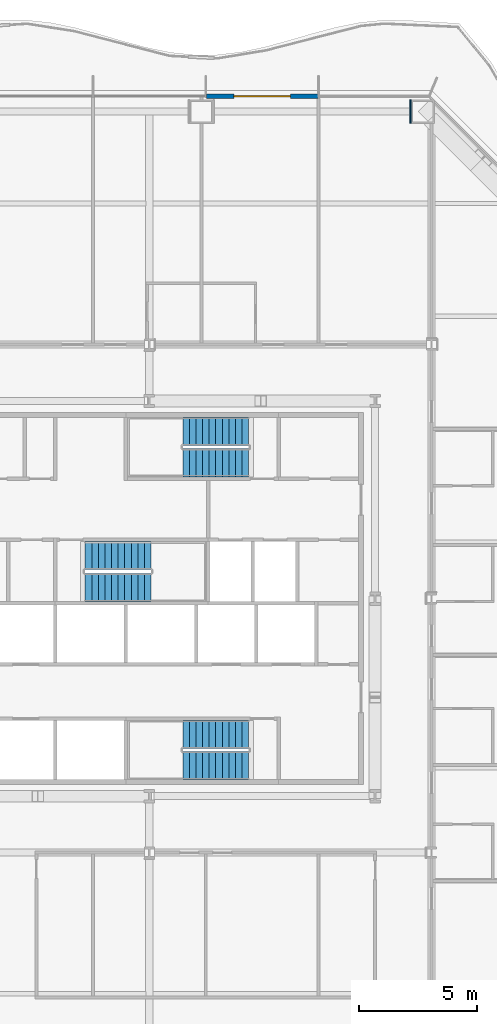
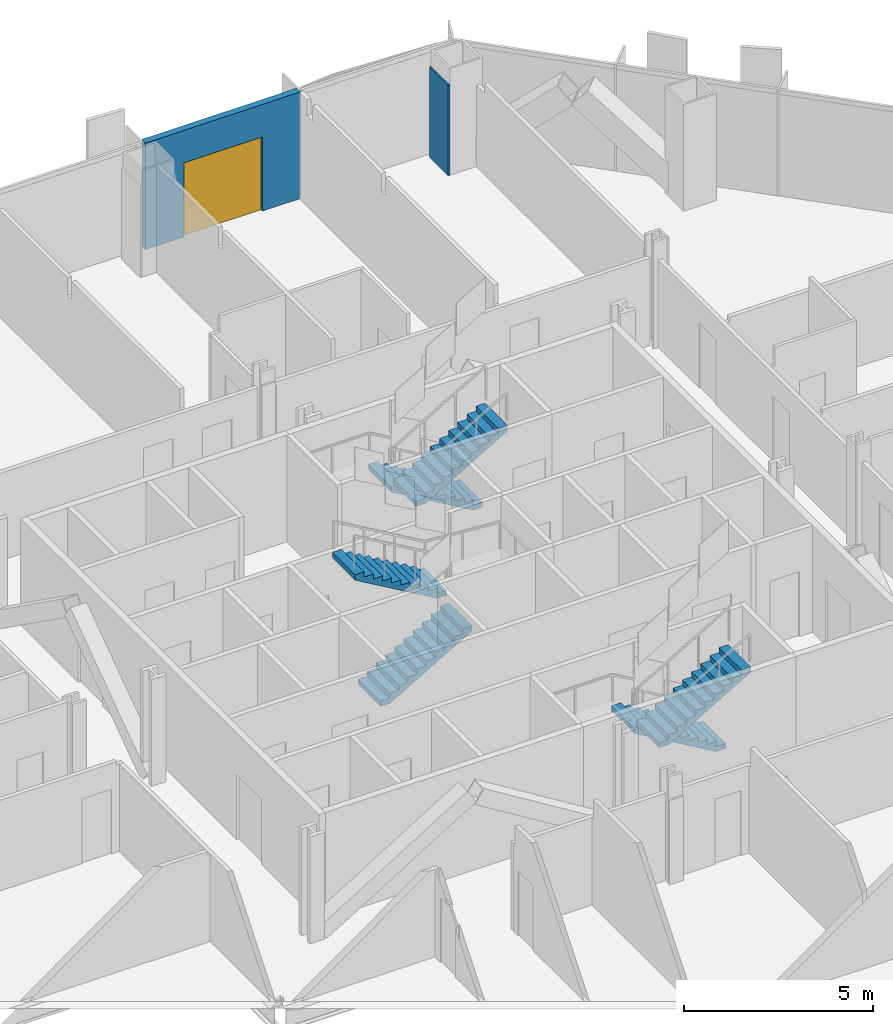
# One storey, part 14 of 20: 6 stair flights, 2 walls, 1 door, 1 opening, 3 elements without a shape of their own.
"""IFC4 building model written with IfcOpenShell, lengths in metres."""

from ifc_helpers import new_model, si_unit, direction, frame, frame_2d, origin, place, context, subcontext, project, spatial, polyline, rectangle, outline, extrude, material, layer, layer_set, type_object, element, fill, aggregate, save


model = new_model("IFC4")

# Units and contexts
model_context = context("Model", 3, precision=1e-05, world=origin(), true_north=direction((0.0, 1.0)))
body_context = subcontext(model_context, "Body", "Model", "MODEL_VIEW")
ifc_project = project(units=[si_unit("LENGTHUNIT", "METRE"), si_unit("AREAUNIT", "SQUARE_METRE"), si_unit("VOLUMEUNIT", "CUBIC_METRE"), si_unit("PLANEANGLEUNIT", "RADIAN"), si_unit("MASSUNIT", "GRAM", prefix="KILO")], contexts=[model_context])

# Site, building, storey
site_placement = place(None, origin())
site = spatial("IfcSite", under=ifc_project, at=site_placement, CompositionType="ELEMENT")
building_placement = place(site_placement, origin())
building = spatial("IfcBuilding", under=site, at=building_placement, Name="Cairn Pilgrim Tower", CompositionType="ELEMENT")
storey_placement = place(building_placement, frame((0.0, 0.0, 51.0)))
storey = spatial("IfcBuildingStorey", under=building, at=storey_placement, Name="L10", CompositionType="ELEMENT", Elevation=51.0)

# Wall, opening, door
ifc_material_1 = material(Name="Bronze anodised aluminium insulated sandwich panel with mineral wool fill", Category="aluminium")
ifc_layer_1 = layer(ifc_material_1, 0.199951171875)
ifc_layer_set_1 = layer_set([ifc_layer_1], Name="BRONZE INFILL FRAME WALL 200")
wall_type_1 = type_object("IfcWallType", Name="BRONZE INFILL FRAME WALL 200", PredefinedType="NOTDEFINED", material=ifc_layer_set_1)
wall_1_placement = place(storey_placement, frame((14.3701171875, 23.75, 0.0), z_axis=(0.0, 0.0, 1.0), x_axis=(-1.0, 0.0, 0.0)))
wall_1 = element("IfcWall", 1, at=wall_1_placement, inside=storey, type_object=wall_type_1, Name="Bronze infill frame wall IW-N2", PredefinedType="NOTDEFINED", context=body_context, shape_type="SweptSolid", body=[
    extrude(rectangle(XDim=4.740234375, YDim=0.199951171875, at=frame_2d((2.3701171875, 0.0))), origin(), (0.0, 0.0, 1.0), 3.449951171875),
])
opening_placement = place(wall_1_placement, frame((1.169921875, 0.0, 0.0)))
opening = element("IfcOpeningElement", 2, at=opening_placement, cuts=wall_1, Name="Opening 1020B", PredefinedType="OPENING", context=body_context, shape_type="SweptSolid", body=[
    extrude(rectangle(XDim=2.39990234375, YDim=2.39990234375, at=frame_2d((1.199951171875, 1.199951171875))), frame((0.0, 0.10986328125, 0.0), z_axis=(0.0, -1.0, 0.0), x_axis=(1.0, 0.0, 0.0)), (0.0, 0.0, 1.0), 0.219970703125),
])
ifc_material_2 = material(Name="Bronze anodised aluminium frame with tinted low-E glass", Category="aluminium")
door_type = type_object("IfcDoorType", Name="BALCONY SLIDING DOOR 2400x2400", OperationType="DOUBLE_DOOR_SLIDING", PredefinedType="DOOR", material=ifc_material_2)
door_placement = place(opening_placement, origin())
door = element("IfcDoor", 3, at=door_placement, inside=storey, type_object=door_type, Name="Balcony sliding door 1020B", OperationType="SINGLE_SWING_LEFT", OverallHeight=2.39990234375, OverallWidth=2.39990234375, PredefinedType="DOOR", context=body_context, shape_type="SweptSolid", body=[
    extrude(rectangle(XDim=2.39990234375, YDim=2.39990234375, at=frame_2d((1.199951171875, 1.199951171875))), frame((0.0, 0.02490234375, 0.0), z_axis=(0.0, -1.0, 0.0), x_axis=(1.0, 0.0, 0.0)), (0.0, 0.0, 1.0), 0.050048828125),
])
fill(opening, door)

# Wall
ifc_material_3 = material(Name="Gypsum partition")
ifc_layer_2 = layer(ifc_material_3, 0.050048828125)
ifc_layer_set_2 = layer_set([ifc_layer_2], Name="PARTITION 50 DRYWALL EI 60")
wall_type_2 = type_object("IfcWallType", Name="PARTITION 50 DRYWALL EI 60", PredefinedType="PARTITIONING", material=ifc_layer_set_2)
wall_2_placement = place(storey_placement, frame((18.30224609375, 22.60009765625, 0.0), z_axis=(0.0, 0.0, 1.0), x_axis=(0.0, 1.0, 0.0)))
element("IfcWall", 4, at=wall_2_placement, inside=storey, type_object=wall_type_2, Name="COLUMN CASING WC33", PredefinedType="PARTITIONING", context=body_context, shape_type="SweptSolid", body=[
    extrude(rectangle(XDim=1.0, YDim=0.050048828125, at=frame_2d((0.5, 0.0))), origin(), (0.0, 0.0, 1.0), 2.929931640625),
])

# Stair, stair flights
ifc_material_4 = material(Name="Concrete C32/40", Category="concrete")
stair_type = type_object("IfcStairType", Name="EXIT STAIR 1200", PredefinedType="HALF_TURN_STAIR", material=ifc_material_4)
stair_1_placement = place(storey_placement, origin())
stair_1 = element("IfcStair", 5, at=stair_1_placement, inside=storey, type_object=stair_type, Name="L10 Exit Stair A", PredefinedType="HALF_TURN_STAIR")
stair_flight_type = type_object("IfcStairFlightType", Name="STAIR FLIGHT 1200", PredefinedType="STRAIGHT", material=ifc_material_4)
stair_flight_1_placement = place(storey_placement, frame((11.425048828125, -3.375, 0.0), z_axis=(0.0, 0.0, 1.0), x_axis=(-1.0, 0.0, 0.0)))
stair_flight_1 = element("IfcStairFlight", 6, at=stair_flight_1_placement, type_object=stair_flight_type, Name="ST-A flight 1", NumberOfRisers=11, NumberOfTreads=10, PredefinedType="STRAIGHT", RiserHeight=0.163636364, TreadLength=0.28, context=body_context, shape_type="SweptSolid", body=[
    extrude(outline(polyline([(0.0, 0.0), (0.0, 0.16357421875), (0.280029296875, 0.16357421875), (0.280029296875, 0.327392578125), (0.56005859375, 0.327392578125), (0.56005859375, 0.490966796875), (0.840087890625, 0.490966796875), (0.840087890625, 0.654541015625), (1.1201171875, 0.654541015625), (1.1201171875, 0.818115234375), (1.39990234375, 0.818115234375), (1.39990234375, 0.98193359375), (1.679931640625, 0.98193359375), (1.679931640625, 1.1455078125), (1.9599609375, 1.1455078125), (1.9599609375, 1.30908203125), (2.239990234375, 1.30908203125), (2.239990234375, 1.47265625), (2.52001953125, 1.47265625), (2.52001953125, 1.636474609375), (2.800048828125, 1.636474609375), (2.800048828125, 1.800048828125), (2.800048828125, 1.462646484375), (0.297119140625, 0.0), (0.0, 0.0)])), frame((0.0, 0.60009765625, 0.0), z_axis=(0.0, -1.0, 0.0), x_axis=(1.0, 0.0, 0.0)), (0.0, 0.0, 1.0), 1.199951171875),
])
stair_flight_2_placement = place(storey_placement, frame((8.625, -4.699951171875, 1.800048828125), z_axis=(0.0, 0.0, 1.0), x_axis=(1.0, 0.0, 0.0)))
stair_flight_2 = element("IfcStairFlight", 7, at=stair_flight_2_placement, type_object=stair_flight_type, Name="ST-A flight 2", NumberOfRisers=11, NumberOfTreads=10, PredefinedType="STRAIGHT", RiserHeight=0.163636364, TreadLength=0.28, context=body_context, shape_type="SweptSolid", body=[
    extrude(outline(polyline([(0.0, 0.0), (0.0, 0.16357421875), (0.280029296875, 0.16357421875), (0.280029296875, 0.327392578125), (0.56005859375, 0.327392578125), (0.56005859375, 0.490966796875), (0.840087890625, 0.490966796875), (0.840087890625, 0.654541015625), (1.1201171875, 0.654541015625), (1.1201171875, 0.818115234375), (1.39990234375, 0.818115234375), (1.39990234375, 0.98193359375), (1.679931640625, 0.98193359375), (1.679931640625, 1.1455078125), (1.9599609375, 1.1455078125), (1.9599609375, 1.30908203125), (2.239990234375, 1.30908203125), (2.239990234375, 1.47265625), (2.52001953125, 1.47265625), (2.52001953125, 1.636474609375), (2.800048828125, 1.636474609375), (2.800048828125, 1.800048828125), (2.800048828125, 1.462646484375), (0.297119140625, 0.0), (0.0, 0.0)])), frame((0.0, 0.60009765625, 0.0), z_axis=(0.0, -1.0, 0.0), x_axis=(1.0, 0.0, 0.0)), (0.0, 0.0, 1.0), 1.199951171875),
])
aggregate(stair_1, [stair_flight_1, stair_flight_2])

stair_2_placement = place(storey_placement, origin())
stair_2 = element("IfcStair", 8, at=stair_2_placement, inside=storey, type_object=stair_type, Name="L10 Exit Stair B", PredefinedType="HALF_TURN_STAIR")
stair_flight_3_placement = place(storey_placement, frame((4.47509765625, 2.875, 0.0), z_axis=(0.0, 0.0, 1.0), x_axis=(1.0, 0.0, 0.0)))
stair_flight_3 = element("IfcStairFlight", 9, at=stair_flight_3_placement, type_object=stair_flight_type, Name="ST-B flight 1", NumberOfRisers=11, NumberOfTreads=10, PredefinedType="STRAIGHT", RiserHeight=0.163636364, TreadLength=0.28, context=body_context, shape_type="SweptSolid", body=[
    extrude(outline(polyline([(0.0, 0.0), (0.0, 0.16357421875), (0.280029296875, 0.16357421875), (0.280029296875, 0.327392578125), (0.56005859375, 0.327392578125), (0.56005859375, 0.490966796875), (0.840087890625, 0.490966796875), (0.840087890625, 0.654541015625), (1.1201171875, 0.654541015625), (1.1201171875, 0.818115234375), (1.39990234375, 0.818115234375), (1.39990234375, 0.98193359375), (1.679931640625, 0.98193359375), (1.679931640625, 1.1455078125), (1.9599609375, 1.1455078125), (1.9599609375, 1.30908203125), (2.239990234375, 1.30908203125), (2.239990234375, 1.47265625), (2.52001953125, 1.47265625), (2.52001953125, 1.636474609375), (2.800048828125, 1.636474609375), (2.800048828125, 1.800048828125), (2.800048828125, 1.462646484375), (0.297119140625, 0.0), (0.0, 0.0)])), frame((0.0, 0.60009765625, 0.0), z_axis=(0.0, -1.0, 0.0), x_axis=(1.0, 0.0, 0.0)), (0.0, 0.0, 1.0), 1.199951171875),
])
stair_flight_4_placement = place(storey_placement, frame((7.27490234375, 4.22509765625, 1.800048828125), z_axis=(0.0, 0.0, 1.0), x_axis=(-1.0, 0.0, 0.0)))
stair_flight_4 = element("IfcStairFlight", 10, at=stair_flight_4_placement, type_object=stair_flight_type, Name="ST-B flight 2", NumberOfRisers=11, NumberOfTreads=10, PredefinedType="STRAIGHT", RiserHeight=0.163636364, TreadLength=0.28, context=body_context, shape_type="SweptSolid", body=[
    extrude(outline(polyline([(0.0, 0.0), (0.0, 0.16357421875), (0.280029296875, 0.16357421875), (0.280029296875, 0.327392578125), (0.56005859375, 0.327392578125), (0.56005859375, 0.490966796875), (0.840087890625, 0.490966796875), (0.840087890625, 0.654541015625), (1.1201171875, 0.654541015625), (1.1201171875, 0.818115234375), (1.39990234375, 0.818115234375), (1.39990234375, 0.98193359375), (1.679931640625, 0.98193359375), (1.679931640625, 1.1455078125), (1.9599609375, 1.1455078125), (1.9599609375, 1.30908203125), (2.239990234375, 1.30908203125), (2.239990234375, 1.47265625), (2.52001953125, 1.47265625), (2.52001953125, 1.636474609375), (2.800048828125, 1.636474609375), (2.800048828125, 1.800048828125), (2.800048828125, 1.462646484375), (0.297119140625, 0.0), (0.0, 0.0)])), frame((0.0, 0.60009765625, 0.0), z_axis=(0.0, -1.0, 0.0), x_axis=(1.0, 0.0, 0.0)), (0.0, 0.0, 1.0), 1.199951171875),
])
aggregate(stair_2, [stair_flight_3, stair_flight_4])

stair_3_placement = place(storey_placement, origin())
stair_3 = element("IfcStair", 11, at=stair_3_placement, inside=storey, type_object=stair_type, Name="L10 Exit Stair C", PredefinedType="HALF_TURN_STAIR")
stair_flight_5_placement = place(storey_placement, frame((11.425048828125, 9.5, 0.0), z_axis=(0.0, 0.0, 1.0), x_axis=(-1.0, 0.0, 0.0)))
stair_flight_5 = element("IfcStairFlight", 12, at=stair_flight_5_placement, type_object=stair_flight_type, Name="ST-C flight 1", NumberOfRisers=11, NumberOfTreads=10, PredefinedType="STRAIGHT", RiserHeight=0.163636364, TreadLength=0.28, context=body_context, shape_type="SweptSolid", body=[
    extrude(outline(polyline([(0.0, 0.0), (0.0, 0.16357421875), (0.280029296875, 0.16357421875), (0.280029296875, 0.327392578125), (0.56005859375, 0.327392578125), (0.56005859375, 0.490966796875), (0.840087890625, 0.490966796875), (0.840087890625, 0.654541015625), (1.1201171875, 0.654541015625), (1.1201171875, 0.818115234375), (1.39990234375, 0.818115234375), (1.39990234375, 0.98193359375), (1.679931640625, 0.98193359375), (1.679931640625, 1.1455078125), (1.9599609375, 1.1455078125), (1.9599609375, 1.30908203125), (2.239990234375, 1.30908203125), (2.239990234375, 1.47265625), (2.52001953125, 1.47265625), (2.52001953125, 1.636474609375), (2.800048828125, 1.636474609375), (2.800048828125, 1.800048828125), (2.800048828125, 1.462646484375), (0.297119140625, 0.0), (0.0, 0.0)])), frame((0.0, 0.60009765625, 0.0), z_axis=(0.0, -1.0, 0.0), x_axis=(1.0, 0.0, 0.0)), (0.0, 0.0, 1.0), 1.199951171875),
])
stair_flight_6_placement = place(storey_placement, frame((8.625, 8.175048828125, 1.800048828125), z_axis=(0.0, 0.0, 1.0), x_axis=(1.0, 0.0, 0.0)))
stair_flight_6 = element("IfcStairFlight", 13, at=stair_flight_6_placement, type_object=stair_flight_type, Name="ST-C flight 2", NumberOfRisers=11, NumberOfTreads=10, PredefinedType="STRAIGHT", RiserHeight=0.163636364, TreadLength=0.28, context=body_context, shape_type="SweptSolid", body=[
    extrude(outline(polyline([(0.0, 0.0), (0.0, 0.16357421875), (0.280029296875, 0.16357421875), (0.280029296875, 0.327392578125), (0.56005859375, 0.327392578125), (0.56005859375, 0.490966796875), (0.840087890625, 0.490966796875), (0.840087890625, 0.654541015625), (1.1201171875, 0.654541015625), (1.1201171875, 0.818115234375), (1.39990234375, 0.818115234375), (1.39990234375, 0.98193359375), (1.679931640625, 0.98193359375), (1.679931640625, 1.1455078125), (1.9599609375, 1.1455078125), (1.9599609375, 1.30908203125), (2.239990234375, 1.30908203125), (2.239990234375, 1.47265625), (2.52001953125, 1.47265625), (2.52001953125, 1.636474609375), (2.800048828125, 1.636474609375), (2.800048828125, 1.800048828125), (2.800048828125, 1.462646484375), (0.297119140625, 0.0), (0.0, 0.0)])), frame((0.0, 0.60009765625, 0.0), z_axis=(0.0, -1.0, 0.0), x_axis=(1.0, 0.0, 0.0)), (0.0, 0.0, 1.0), 1.199951171875),
])
aggregate(stair_3, [stair_flight_5, stair_flight_6])

save(model, "model.ifc")
